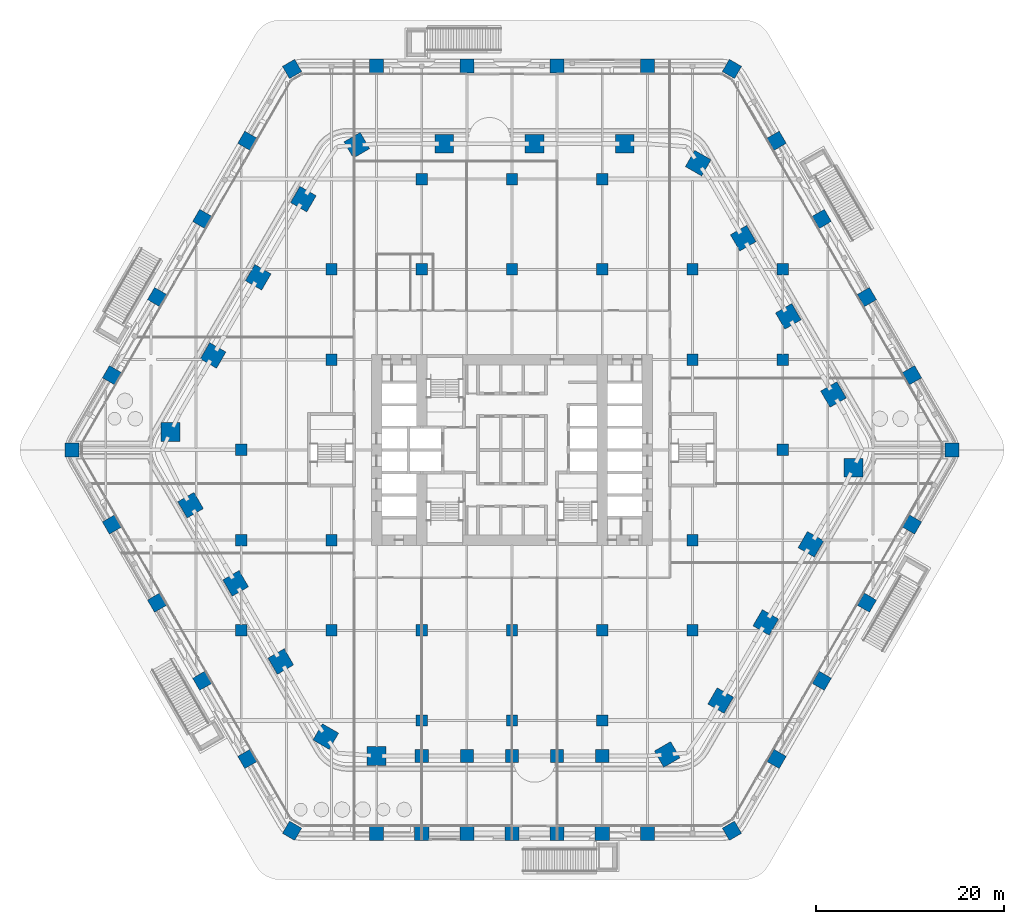
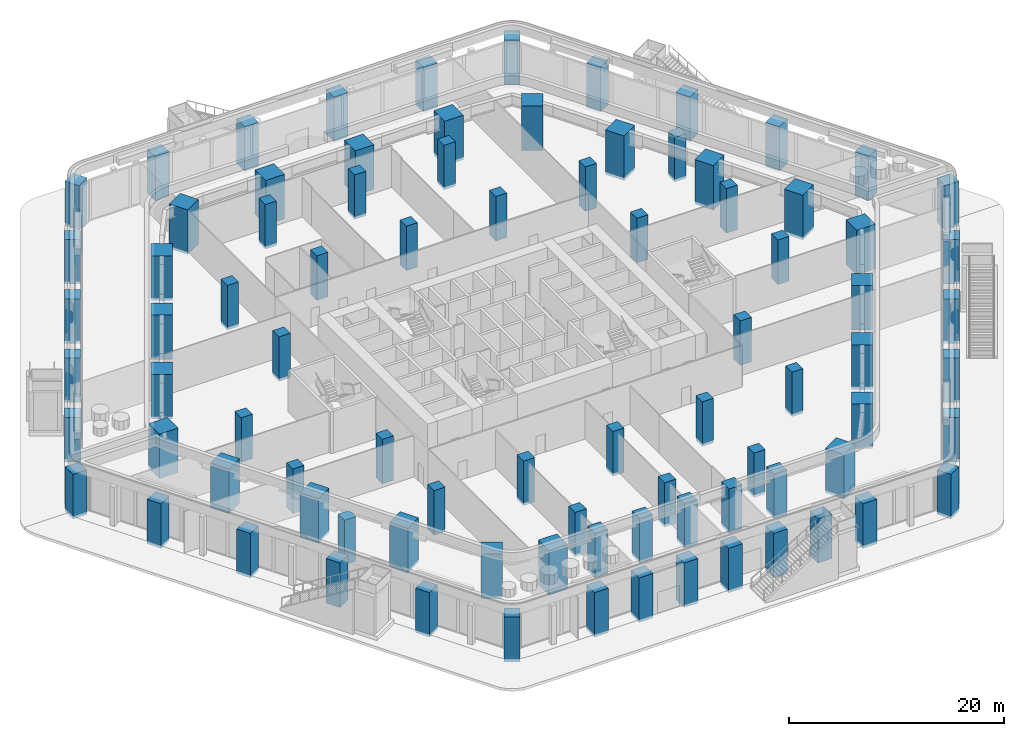
# One storey, part 1 of 34: 86 columns.
"""IFC4 building model written with IfcOpenShell, lengths in metres."""

from ifc_helpers import new_model, si_unit, direction, frame, origin, origin_2d, place, context, subcontext, project, spatial, rectangle, extrude, material, material_profile, profile_set, type_object, element, save


model = new_model("IFC4")

# Units and contexts
model_context = context("Model", 3, precision=1e-05, world=origin(), true_north=direction((0.0, 1.0)))
body_context = subcontext(model_context, "Body", "Model", "MODEL_VIEW")
ifc_project = project(units=[si_unit("LENGTHUNIT", "METRE"), si_unit("AREAUNIT", "SQUARE_METRE"), si_unit("VOLUMEUNIT", "CUBIC_METRE"), si_unit("PLANEANGLEUNIT", "RADIAN"), si_unit("MASSUNIT", "GRAM", prefix="KILO")], contexts=[model_context])

# Site, building, storey
site_placement = place(None, origin())
site = spatial("IfcSite", under=ifc_project, at=site_placement, CompositionType="ELEMENT")
building_placement = place(site_placement, origin())
building = spatial("IfcBuilding", under=site, at=building_placement, Name="Kolab Exchange Tower", CompositionType="ELEMENT")
storey_placement = place(building_placement, frame((0.0, 0.0, 12.39990234375)))
storey = spatial("IfcBuildingStorey", under=building, at=storey_placement, Name="L02", CompositionType="ELEMENT", Elevation=12.39990234375)

# Columns
ifc_material = material(Name="Concrete C80/95", Category="concrete")
ifc_material_profile_1 = material_profile(ifc_material, rectangle(XDim=1.199951171875, YDim=1.199951171875, at=origin_2d()), Name="RC1200")
ifc_profile_set_1 = profile_set([ifc_material_profile_1], Name="Concrete C80/95")
column_type_1 = type_object("IfcColumnType", Name="INTERIOR COLUMN 1200 SQ C80/95", PredefinedType="COLUMN", material=ifc_profile_set_1)
for number, where, z_axis, x_axis, name in (
    (1, (-28.800048828125, -19.199951171875, -0.2998046875), (0.0, 0.0, 1.0), (1.0, 0.0, 0.0), "col/L02/I-G7"),
    (2, (-28.800048828125, -9.60009765625, -0.2998046875), (0.0, 0.0, 1.0), (1.0, 0.0, 0.0), "col/L02/I-G9"),
    (3, (-28.800048828125, 0.0, -0.2998046875), (0.0, 0.0, 1.0), (1.0, 0.0, 0.0), "col/L02/I-G11"),
    (4, (-19.199951171875, -19.199951171875, -0.2998046875), (0.0, 0.0, 1.0), (1.0, 0.0, 0.0), "col/L02/I-I7"),
    (5, (-19.199951171875, -9.60009765625, -0.2998046875), (0.0, 0.0, 1.0), (1.0, 0.0, 0.0), "col/L02/I-I9"),
    (6, (-19.199951171875, 9.60009765625, -0.2998046875), (0.0, 0.0, 1.0), (1.0, 0.0, 0.0), "col/L02/I-I13"),
    (7, (-19.199951171875, 19.199951171875, -0.2998046875), (0.0, 0.0, 1.0), (1.0, 0.0, 0.0), "col/L02/I-I15"),
    (8, (-9.60009765625, -28.800048828125, -0.2998046875), (0.0, 0.0, 1.0), (1.0, 0.0, 0.0), "col/L02/I-K5"),
    (9, (-9.60009765625, -19.199951171875, -0.2998046875), (0.0, 0.0, 1.0), (1.0, 0.0, 0.0), "col/L02/I-K7"),
    (10, (-9.60009765625, 19.199951171875, -0.2998046875), (0.0, 0.0, 1.0), (1.0, 0.0, 0.0), "col/L02/I-K15"),
    (11, (-9.60009765625, 28.800048828125, -0.2998046875), (0.0, 0.0, 1.0), (1.0, 0.0, 0.0), "col/L02/I-K17"),
    (12, (0.0, -28.800048828125, -0.2998046875), (0.0, 0.0, 1.0), (1.0, 0.0, 0.0), "col/L02/I-M5"),
    (13, (0.0, -19.199951171875, -0.2998046875), (0.0, 0.0, 1.0), (1.0, 0.0, 0.0), "col/L02/I-M7"),
    (14, (0.0, 19.199951171875, -0.2998046875), (0.0, 0.0, 1.0), (1.0, 0.0, 0.0), "col/L02/I-M15"),
    (15, (0.0, 28.800048828125, -0.2998046875), (0.0, 0.0, 1.0), (1.0, 0.0, 0.0), "col/L02/I-M17"),
    (16, (9.60009765625, -28.800048828125, -0.2998046875), (0.0, 0.0, 1.0), (1.0, 0.0, 0.0), "col/L02/I-O5"),
    (17, (9.60009765625, -19.199951171875, -0.2998046875), (0.0, 0.0, 1.0), (1.0, 0.0, 0.0), "col/L02/I-O7"),
    (18, (9.60009765625, 19.199951171875, -0.2998046875), (0.0, 0.0, 1.0), (1.0, 0.0, 0.0), "col/L02/I-O15"),
    (19, (9.60009765625, 28.800048828125, -0.2998046875), (0.0, 0.0, 1.0), (1.0, 0.0, 0.0), "col/L02/I-O17"),
    (20, (19.199951171875, -19.199951171875, -0.2998046875), (0.0, 0.0, 1.0), (1.0, 0.0, 0.0), "col/L02/I-Q7"),
    (21, (19.199951171875, -9.60009765625, -0.2998046875), (0.0, 0.0, 1.0), (1.0, 0.0, 0.0), "col/L02/I-Q9"),
    (22, (19.199951171875, 9.60009765625, -0.2998046875), (0.0, 0.0, 1.0), (1.0, 0.0, 0.0), "col/L02/I-Q13"),
    (23, (19.199951171875, 19.199951171875, -0.2998046875), (0.0, 0.0, 1.0), (1.0, 0.0, 0.0), "col/L02/I-Q15"),
    (24, (28.800048828125, 0.0, -0.2998046875), (0.0, 0.0, 1.0), (1.0, 0.0, 0.0), "col/L02/I-S11"),
    (25, (28.800048828125, 9.60009765625, -0.2998046875), (0.0, 0.0, 1.0), (1.0, 0.0, 0.0), "col/L02/I-S13"),
    (26, (28.800048828125, 19.199951171875, -0.2998046875), (0.0, 0.0, 1.0), (1.0, 0.0, 0.0), "col/L02/I-S15"),
):
    element("IfcColumn", number, at=place(storey_placement, frame(where, z_axis=z_axis, x_axis=x_axis)), inside=storey, type_object=column_type_1, Name=name, PredefinedType="COLUMN", context=body_context, shape_type="SweptSolid", body=[
        extrude(rectangle(XDim=1.199951171875, YDim=1.199951171875, at=origin_2d()), origin(), (0.0, 0.0, 1.0), 5.0498046875),
    ])
ifc_material_profile_2 = material_profile(ifc_material, rectangle(XDim=1.39990234375, YDim=1.39990234375, at=origin_2d()), Name="RC1400")
ifc_profile_set_2 = profile_set([ifc_material_profile_2], Name="Concrete C80/95")
column_type_2 = type_object("IfcColumnType", Name="PERIMETER COLUMN 1400 SQ C80/95", PredefinedType="COLUMN", material=ifc_profile_set_2)
for number, where, z_axis, x_axis, name in (
    (27, (9.60009765625, -32.555419921875, -0.2998046875), (0.0, 0.0, 1.0), (1.0, 0.0, 0.0), "col/L02/T-F4-03"),
    (28, (4.800048828125, -32.555419921875, -0.2998046875), (0.0, 0.0, 1.0), (1.0, 0.0, 0.0), "col/L02/T-F4-04"),
    (29, (0.0, -32.555419921875, -0.2998046875), (0.0, 0.0, 1.0), (1.0, 0.0, 0.0), "col/L02/T-F4-05"),
    (30, (-4.800048828125, -32.555419921875, -0.2998046875), (0.0, 0.0, 1.0), (1.0, 0.0, 0.0), "col/L02/T-F4-06"),
    (31, (-9.60009765625, -32.555419921875, -0.2998046875), (0.0, 0.0, 1.0), (1.0, 0.0, 0.0), "col/L02/T-F4-07"),
):
    element("IfcColumn", number, at=place(storey_placement, frame(where, z_axis=z_axis, x_axis=x_axis)), inside=storey, type_object=column_type_2, Name=name, PredefinedType="COLUMN", context=body_context, shape_type="SweptSolid", body=[
        extrude(rectangle(XDim=1.39990234375, YDim=1.39990234375, at=origin_2d()), origin(), (0.0, 0.0, 1.0), 5.0498046875),
    ])
ifc_material_profile_3 = material_profile(ifc_material, rectangle(XDim=1.5, YDim=1.5, at=origin_2d()), Name="RC1500")
ifc_profile_set_3 = profile_set([ifc_material_profile_3], Name="Concrete C80/95")
column_type_3 = type_object("IfcColumnType", Name="PERIMETER COLUMN 1500 SQ C80/95", PredefinedType="COLUMN", material=ifc_profile_set_3)
for number, where, z_axis, x_axis, name in (
    (32, (-23.39306640625, 40.517822265625, -0.2998046875), (0.0, 0.0, 1.0), (0.866025403784, 0.5, 0.0), "col/L02/F1-01"),
    (33, (-14.39990234375, 40.8193359375, -0.2998046875), (0.0, 0.0, 1.0), (1.0, 0.0, 0.0), "col/L02/F1-03"),
    (34, (-4.800048828125, 40.8193359375, -0.2998046875), (0.0, 0.0, 1.0), (1.0, 0.0, 0.0), "col/L02/F1-05"),
    (35, (4.800048828125, 40.8193359375, -0.2998046875), (0.0, 0.0, 1.0), (1.0, 0.0, 0.0), "col/L02/F1-07"),
    (36, (14.39990234375, 40.8193359375, -0.2998046875), (0.0, 0.0, 1.0), (1.0, 0.0, 0.0), "col/L02/F1-09"),
    (37, (23.39306640625, 40.517822265625, -0.2998046875), (0.0, 0.0, 1.0), (0.5, 0.866025403784, 0.0), "col/L02/F2-01"),
    (38, (28.150390625, 32.88037109375, -0.2998046875), (0.0, 0.0, 1.0), (0.866025403784, 0.5, 0.0), "col/L02/F2-03"),
    (39, (32.950439453125, 24.566650390625, -0.2998046875), (0.0, 0.0, 1.0), (0.866025403784, 0.5, 0.0), "col/L02/F2-05"),
    (40, (37.75048828125, 16.252685546875, -0.2998046875), (0.0, 0.0, 1.0), (0.866025403784, 0.5, 0.0), "col/L02/F2-07"),
    (41, (42.550537109375, 7.93896484375, -0.2998046875), (0.0, 0.0, 1.0), (0.866025403784, 0.5, 0.0), "col/L02/F2-09"),
    (42, (46.785888671875, 0.0, -0.2998046875), (0.0, 0.0, 1.0), (1.0, 0.0, 0.0), "col/L02/F3-01"),
    (43, (42.550537109375, -7.93896484375, -0.2998046875), (0.0, 0.0, 1.0), (0.5, 0.866025403784, 0.0), "col/L02/F3-03"),
    (44, (37.75048828125, -16.252685546875, -0.2998046875), (0.0, 0.0, 1.0), (0.5, 0.866025403784, 0.0), "col/L02/F3-05"),
    (45, (32.950439453125, -24.566650390625, -0.2998046875), (0.0, 0.0, 1.0), (0.5, 0.866025403784, 0.0), "col/L02/F3-07"),
    (46, (28.150390625, -32.88037109375, -0.2998046875), (0.0, 0.0, 1.0), (0.5, 0.866025403784, 0.0), "col/L02/F3-09"),
    (47, (23.39306640625, -40.517822265625, -0.2998046875), (0.0, 0.0, 1.0), (0.866025403784, 0.5, 0.0), "col/L02/F4-01"),
    (48, (14.39990234375, -40.8193359375, -0.2998046875), (0.0, 0.0, 1.0), (1.0, 0.0, 0.0), "col/L02/F4-03"),
    (49, (9.60009765625, -40.8193359375, -0.2998046875), (0.0, 0.0, 1.0), (1.0, 0.0, 0.0), "col/L02/F4-04"),
    (50, (4.800048828125, -40.8193359375, -0.2998046875), (0.0, 0.0, 1.0), (1.0, 0.0, 0.0), "col/L02/F4-05"),
    (51, (0.0, -40.8193359375, -0.2998046875), (0.0, 0.0, 1.0), (1.0, 0.0, 0.0), "col/L02/F4-06"),
    (52, (-4.800048828125, -40.8193359375, -0.2998046875), (0.0, 0.0, 1.0), (1.0, 0.0, 0.0), "col/L02/F4-07"),
    (53, (-9.60009765625, -40.8193359375, -0.2998046875), (0.0, 0.0, 1.0), (1.0, 0.0, 0.0), "col/L02/F4-08"),
    (54, (-14.39990234375, -40.8193359375, -0.2998046875), (0.0, 0.0, 1.0), (1.0, 0.0, 0.0), "col/L02/F4-09"),
    (55, (-23.39306640625, -40.517822265625, -0.2998046875), (0.0, 0.0, 1.0), (0.5, 0.866025403784, 0.0), "col/L02/F5-01"),
    (56, (-28.150390625, -32.88037109375, -0.2998046875), (0.0, 0.0, 1.0), (0.866025403784, 0.5, 0.0), "col/L02/F5-03"),
    (57, (-32.950439453125, -24.566650390625, -0.2998046875), (0.0, 0.0, 1.0), (0.866025403784, 0.5, 0.0), "col/L02/F5-05"),
    (58, (-37.75048828125, -16.252685546875, -0.2998046875), (0.0, 0.0, 1.0), (0.866025403784, 0.5, 0.0), "col/L02/F5-07"),
    (59, (-42.550537109375, -7.93896484375, -0.2998046875), (0.0, 0.0, 1.0), (0.866025403784, 0.5, 0.0), "col/L02/F5-09"),
    (60, (-46.785888671875, 0.0, -0.2998046875), (0.0, 0.0, 1.0), (1.0, 0.0, 0.0), "col/L02/F6-01"),
    (61, (-42.550537109375, 7.93896484375, -0.2998046875), (0.0, 0.0, 1.0), (0.5, 0.866025403784, 0.0), "col/L02/F6-03"),
    (62, (-37.75048828125, 16.252685546875, -0.2998046875), (0.0, 0.0, 1.0), (0.5, 0.866025403784, 0.0), "col/L02/F6-05"),
    (63, (-32.950439453125, 24.566650390625, -0.2998046875), (0.0, 0.0, 1.0), (0.5, 0.866025403784, 0.0), "col/L02/F6-07"),
    (64, (-28.150390625, 32.88037109375, -0.2998046875), (0.0, 0.0, 1.0), (0.5, 0.866025403784, 0.0), "col/L02/F6-09"),
):
    element("IfcColumn", number, at=place(storey_placement, frame(where, z_axis=z_axis, x_axis=x_axis)), inside=storey, type_object=column_type_3, Name=name, PredefinedType="COLUMN", context=body_context, shape_type="SweptSolid", body=[
        extrude(rectangle(XDim=1.5, YDim=1.5, at=origin_2d()), origin(), (0.0, 0.0, 1.0), 5.0498046875),
    ])
ifc_material_profile_4 = material_profile(ifc_material, rectangle(XDim=2.0, YDim=2.0, at=origin_2d()), Name="RC2000")
ifc_profile_set_4 = profile_set([ifc_material_profile_4], Name="Concrete C80/95")
column_type_4 = type_object("IfcColumnType", Name="TRANSFER-LEVEL COLUMN 2000 SQ C80/95", PredefinedType="COLUMN", material=ifc_profile_set_4)
for number, where, z_axis, x_axis, name in (
    (65, (-14.39990234375, -32.555419921875, -0.2998046875), (0.0, 0.0, 1.0), (1.0, 0.0, 0.0), "col/L02/T-F4-08"),
    (66, (-19.805908203125, -30.497802734375, -0.2998046875), (0.0, 0.0, 1.0), (0.5, 0.866025403784, 0.0), "col/L02/T-F5-01"),
    (67, (-24.59375, -22.51318359375, -0.2998046875), (0.0, 0.0, 1.0), (0.866025403784, 0.5, 0.0), "col/L02/T-F5-03"),
    (68, (-29.393798828125, -14.19921875, -0.2998046875), (0.0, 0.0, 1.0), (0.866025403784, 0.5, 0.0), "col/L02/T-F5-05"),
    (69, (-34.19384765625, -5.885498046875, -0.2998046875), (0.0, 0.0, 1.0), (0.866025403784, 0.5, 0.0), "col/L02/T-F5-07"),
    (70, (-36.31494140625, 1.903564453125, -0.2998046875), (0.0, 0.0, 1.0), (1.0, 0.0, 0.0), "col/L02/T-F6-01"),
    (71, (-31.793701171875, 10.042236328125, -0.2998046875), (0.0, 0.0, 1.0), (0.5, 0.866025403784, 0.0), "col/L02/T-F6-03"),
    (72, (-26.993896484375, 18.356201171875, -0.2998046875), (0.0, 0.0, 1.0), (0.5, 0.866025403784, 0.0), "col/L02/T-F6-05"),
    (73, (-22.19384765625, 26.669921875, -0.2998046875), (0.0, 0.0, 1.0), (0.5, 0.866025403784, 0.0), "col/L02/T-F6-07"),
    (74, (-16.509033203125, 32.4013671875, -0.2998046875), (0.0, 0.0, 1.0), (0.866025403784, 0.5, 0.0), "col/L02/T-F1-01"),
    (75, (-7.199951171875, 32.555419921875, -0.2998046875), (0.0, 0.0, 1.0), (1.0, 0.0, 0.0), "col/L02/T-F1-03"),
    (76, (2.39990234375, 32.555419921875, -0.2998046875), (0.0, 0.0, 1.0), (1.0, 0.0, 0.0), "col/L02/T-F1-05"),
    (77, (12.0, 32.555419921875, -0.2998046875), (0.0, 0.0, 1.0), (1.0, 0.0, 0.0), "col/L02/T-F1-07"),
    (78, (19.805908203125, 30.497802734375, -0.2998046875), (0.0, 0.0, 1.0), (0.5, 0.866025403784, 0.0), "col/L02/T-F2-01"),
    (79, (24.59375, 22.51318359375, -0.2998046875), (0.0, 0.0, 1.0), (0.866025403784, 0.5, 0.0), "col/L02/T-F2-03"),
    (80, (29.393798828125, 14.19921875, -0.2998046875), (0.0, 0.0, 1.0), (0.866025403784, 0.5, 0.0), "col/L02/T-F2-05"),
    (81, (34.19384765625, 5.885498046875, -0.2998046875), (0.0, 0.0, 1.0), (0.866025403784, 0.5, 0.0), "col/L02/T-F2-07"),
    (82, (36.31494140625, -1.903564453125, -0.2998046875), (0.0, 0.0, 1.0), (1.0, 0.0, 0.0), "col/L02/T-F3-01"),
    (83, (31.793701171875, -10.042236328125, -0.2998046875), (0.0, 0.0, 1.0), (0.5, 0.866025403784, 0.0), "col/L02/T-F3-03"),
    (84, (26.993896484375, -18.356201171875, -0.2998046875), (0.0, 0.0, 1.0), (0.5, 0.866025403784, 0.0), "col/L02/T-F3-05"),
    (85, (22.19384765625, -26.669921875, -0.2998046875), (0.0, 0.0, 1.0), (0.5, 0.866025403784, 0.0), "col/L02/T-F3-07"),
    (86, (16.509033203125, -32.4013671875, -0.2998046875), (0.0, 0.0, 1.0), (0.866025403784, 0.5, 0.0), "col/L02/T-F4-01"),
):
    element("IfcColumn", number, at=place(storey_placement, frame(where, z_axis=z_axis, x_axis=x_axis)), inside=storey, type_object=column_type_4, Name=name, PredefinedType="COLUMN", context=body_context, shape_type="SweptSolid", body=[
        extrude(rectangle(XDim=2.0, YDim=2.0, at=origin_2d()), origin(), (0.0, 0.0, 1.0), 5.0498046875),
    ])

save(model, "model.ifc")
